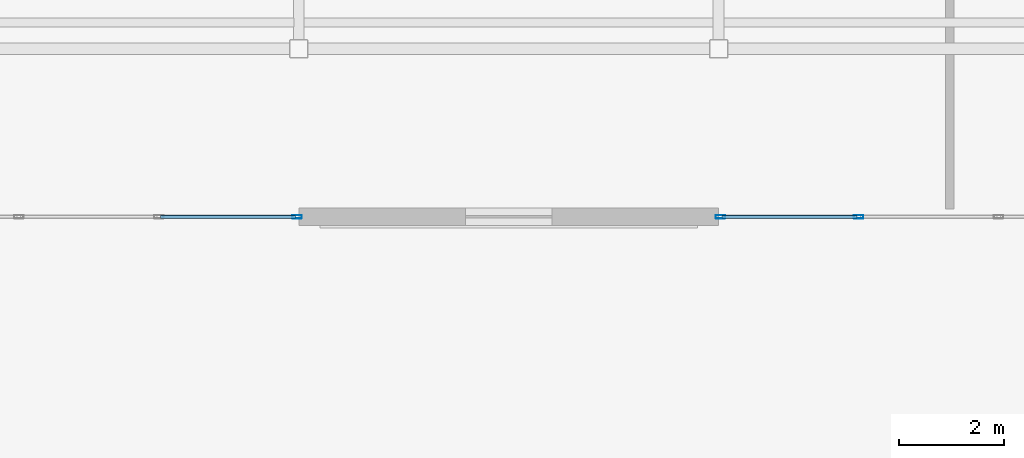
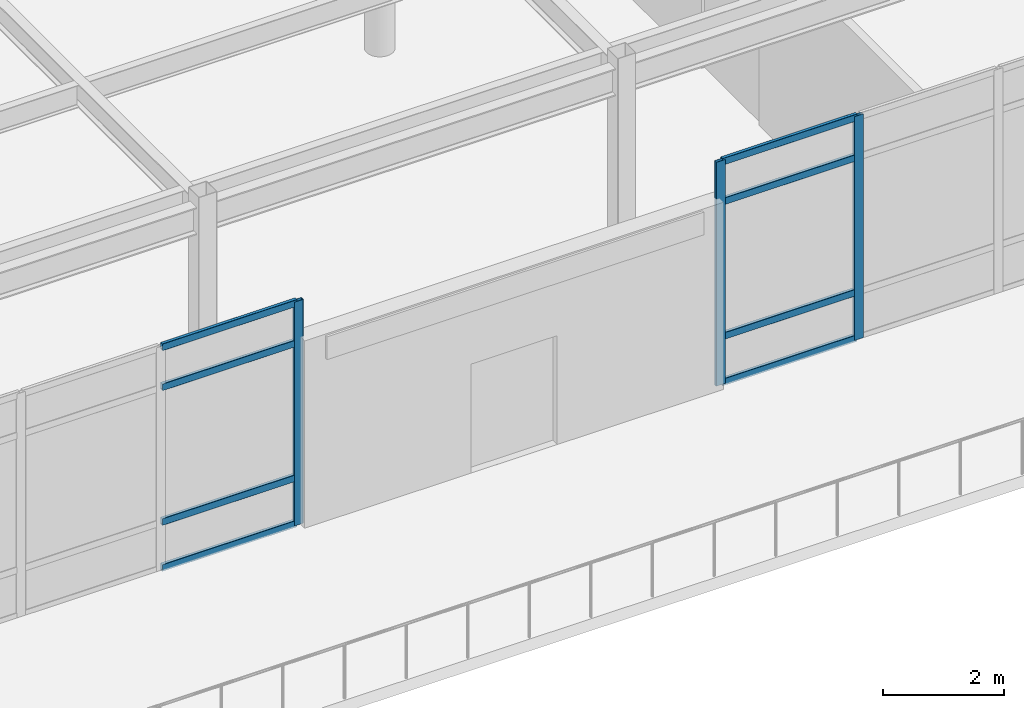
# One storey, part 47 of 117: 11 members, 2 elements without a shape of their own.
"""IFC4 building model written with IfcOpenShell, lengths in metres."""

from ifc_helpers import new_model, si_unit, direction, frame, origin, origin_2d, place, context, subcontext, project, spatial, hollow_rectangle, extrude, material, material_profile, profile_set, type_object, element, aggregate, save


model = new_model("IFC4")

# Units and contexts
model_context = context("Model", 3, precision=1e-05, world=origin(), true_north=direction((0.0, 1.0)))
body_context = subcontext(model_context, "Body", "Model", "MODEL_VIEW")
ifc_project = project(units=[si_unit("LENGTHUNIT", "METRE"), si_unit("AREAUNIT", "SQUARE_METRE"), si_unit("VOLUMEUNIT", "CUBIC_METRE"), si_unit("PLANEANGLEUNIT", "RADIAN"), si_unit("MASSUNIT", "GRAM", prefix="KILO")], contexts=[model_context])

# Site, building, storey
site_placement = place(None, origin())
site = spatial("IfcSite", under=ifc_project, at=site_placement, CompositionType="ELEMENT")
building_placement = place(site_placement, origin())
building = spatial("IfcBuilding", under=site, at=building_placement, Name="Solmirada Galleria", CompositionType="ELEMENT")
storey_placement = place(building_placement, frame((0.0, 0.0, 5.60009765625)))
storey = spatial("IfcBuildingStorey", under=building, at=storey_placement, Name="L01", CompositionType="ELEMENT", Elevation=5.60009765625)

# Curtain wall, members
ifc_material_1 = material(Name="Impact-resistant low-E double glazing", Category="glass")
curtain_wall_type = type_object("IfcCurtainWallType", Name="CW-FZ4-L01-B3-L080", PredefinedType="NOTDEFINED", material=ifc_material_1)
curtain_wall_1_placement = place(storey_placement, origin())
curtain_wall_1 = element("IfcCurtainWall", 1, at=curtain_wall_1_placement, inside=storey, type_object=curtain_wall_type, Name="Terrace and arcade storefront CW-L01-050", PredefinedType="NOTDEFINED")
ifc_material_2 = material(Name="Anodised aluminium framing", Category="aluminium")
ifc_material_profile_1 = material_profile(ifc_material_2, hollow_rectangle(XDim=0.06494140625, YDim=0.179931640625, WallThickness=0.00390625, InnerFilletRadius=0.00390625, OuterFilletRadius=0.008056640625, at=origin_2d()), Name="ALU-MULL-180X65")
ifc_profile_set_1 = profile_set([ifc_material_profile_1], Name="Anodised aluminium framing")
member_type_1 = type_object("IfcMemberType", Name="CW-MULL-180", PredefinedType="MULLION", material=ifc_profile_set_1)
member_1_placement = place(storey_placement, frame((66.666748046875, 76.800048828125, 0.0), z_axis=(0.0, 0.0, 1.0), x_axis=(0.0, -1.0, 0.0)))
member_1 = element("IfcMember", 2, at=member_1_placement, type_object=member_type_1, Name="CW13 mullion 3", PredefinedType="MULLION", context=body_context, shape_type="SweptSolid", body=[
    extrude(hollow_rectangle(XDim=0.06494140625, YDim=0.179931640625, WallThickness=0.00390625, InnerFilletRadius=0.00390625, OuterFilletRadius=0.008056640625, at=origin_2d()), origin(), (0.0, 0.0, 1.0), 4.52001953125),
])
member_2_placement = place(storey_placement, frame((64.032470703125, 76.800048828125, 0.0), z_axis=(0.0, 0.0, 1.0), x_axis=(0.0, -1.0, 0.0)))
member_2 = element("IfcMember", 3, at=member_2_placement, type_object=member_type_1, Name="CW13 mullion 4", PredefinedType="MULLION", context=body_context, shape_type="SweptSolid", body=[
    extrude(hollow_rectangle(XDim=0.06494140625, YDim=0.179931640625, WallThickness=0.00390625, InnerFilletRadius=0.00390625, OuterFilletRadius=0.008056640625, at=origin_2d()), origin(), (0.0, 0.0, 1.0), 4.52001953125),
])

# Curtain wall, member
curtain_wall_2_placement = place(storey_placement, origin())
curtain_wall_2 = element("IfcCurtainWall", 4, at=curtain_wall_2_placement, inside=storey, type_object=curtain_wall_type, Name="Terrace and arcade storefront CW-L01-051", PredefinedType="NOTDEFINED")
member_3_placement = place(storey_placement, frame((55.967529296875, 76.800048828125, 0.0), z_axis=(0.0, 0.0, 1.0), x_axis=(0.0, -1.0, 0.0)))
member_3 = element("IfcMember", 5, at=member_3_placement, type_object=member_type_1, Name="CW13 mullion 1", PredefinedType="MULLION", context=body_context, shape_type="SweptSolid", body=[
    extrude(hollow_rectangle(XDim=0.06494140625, YDim=0.179931640625, WallThickness=0.00390625, InnerFilletRadius=0.00390625, OuterFilletRadius=0.008056640625, at=origin_2d()), origin(), (0.0, 0.0, 1.0), 4.52001953125),
])

# Member
ifc_material_profile_2 = material_profile(ifc_material_2, hollow_rectangle(XDim=0.06494140625, YDim=0.139892578125, WallThickness=0.00341796875, InnerFilletRadius=0.00341796875, OuterFilletRadius=0.007080078125, at=origin_2d()), Name="ALU-TRAN-140X65")
ifc_profile_set_2 = profile_set([ifc_material_profile_2], Name="Anodised aluminium framing")
member_type_2 = type_object("IfcMemberType", Name="CW-TRAN-140", PredefinedType="USERDEFINED", material=ifc_profile_set_2)
member_4_placement = place(storey_placement, frame((66.63427734375, 76.800048828125, 0.032470703125), z_axis=(-1.0, 0.0, 0.0), x_axis=(0.0, -1.0, 0.0)))
member_4 = element("IfcMember", 6, at=member_4_placement, type_object=member_type_2, Name="CW13 transom 3.1", ObjectType="TRANSOM", PredefinedType="USERDEFINED", context=body_context, shape_type="SweptSolid", body=[
    extrude(hollow_rectangle(XDim=0.06494140625, YDim=0.139892578125, WallThickness=0.00341796875, InnerFilletRadius=0.00341796875, OuterFilletRadius=0.007080078125, at=origin_2d()), origin(), (0.0, 0.0, 1.0), 2.5693359375),
])

member_5_placement = place(storey_placement, frame((66.63427734375, 76.800048828125, 0.9599609375), z_axis=(-1.0, 0.0, 0.0), x_axis=(0.0, -1.0, 0.0)))
member_5 = element("IfcMember", 7, at=member_5_placement, type_object=member_type_2, Name="CW13 transom 3.2", ObjectType="TRANSOM", PredefinedType="USERDEFINED", context=body_context, shape_type="SweptSolid", body=[
    extrude(hollow_rectangle(XDim=0.06494140625, YDim=0.139892578125, WallThickness=0.00341796875, InnerFilletRadius=0.00341796875, OuterFilletRadius=0.007080078125, at=origin_2d()), origin(), (0.0, 0.0, 1.0), 2.5693359375),
])

member_6_placement = place(storey_placement, frame((66.63427734375, 76.800048828125, 3.679931640625), z_axis=(-1.0, 0.0, 0.0), x_axis=(0.0, -1.0, 0.0)))
member_6 = element("IfcMember", 8, at=member_6_placement, type_object=member_type_2, Name="CW13 transom 3.3", ObjectType="TRANSOM", PredefinedType="USERDEFINED", context=body_context, shape_type="SweptSolid", body=[
    extrude(hollow_rectangle(XDim=0.06494140625, YDim=0.139892578125, WallThickness=0.00341796875, InnerFilletRadius=0.00341796875, OuterFilletRadius=0.007080078125, at=origin_2d()), origin(), (0.0, 0.0, 1.0), 2.5693359375),
])

member_7_placement = place(storey_placement, frame((66.63427734375, 76.800048828125, 4.4873046875), z_axis=(-1.0, 0.0, 0.0), x_axis=(0.0, -1.0, 0.0)))
member_7 = element("IfcMember", 9, at=member_7_placement, type_object=member_type_2, Name="CW13 transom 3.4", ObjectType="TRANSOM", PredefinedType="USERDEFINED", context=body_context, shape_type="SweptSolid", body=[
    extrude(hollow_rectangle(XDim=0.06494140625, YDim=0.139892578125, WallThickness=0.00341796875, InnerFilletRadius=0.00341796875, OuterFilletRadius=0.007080078125, at=origin_2d()), origin(), (0.0, 0.0, 1.0), 2.5693359375),
])

aggregate(curtain_wall_1, [member_1, member_2, member_4, member_5, member_6, member_7])

member_8_placement = place(storey_placement, frame((55.93505859375, 76.800048828125, 0.032470703125), z_axis=(-1.0, 0.0, 0.0), x_axis=(0.0, -1.0, 0.0)))
member_8 = element("IfcMember", 10, at=member_8_placement, type_object=member_type_2, Name="CW13 transom 1.1", ObjectType="TRANSOM", PredefinedType="USERDEFINED", context=body_context, shape_type="SweptSolid", body=[
    extrude(hollow_rectangle(XDim=0.06494140625, YDim=0.139892578125, WallThickness=0.00341796875, InnerFilletRadius=0.00341796875, OuterFilletRadius=0.007080078125, at=origin_2d()), origin(), (0.0, 0.0, 1.0), 2.5693359375),
])

member_9_placement = place(storey_placement, frame((55.93505859375, 76.800048828125, 0.9599609375), z_axis=(-1.0, 0.0, 0.0), x_axis=(0.0, -1.0, 0.0)))
member_9 = element("IfcMember", 11, at=member_9_placement, type_object=member_type_2, Name="CW13 transom 1.2", ObjectType="TRANSOM", PredefinedType="USERDEFINED", context=body_context, shape_type="SweptSolid", body=[
    extrude(hollow_rectangle(XDim=0.06494140625, YDim=0.139892578125, WallThickness=0.00341796875, InnerFilletRadius=0.00341796875, OuterFilletRadius=0.007080078125, at=origin_2d()), origin(), (0.0, 0.0, 1.0), 2.5693359375),
])

member_10_placement = place(storey_placement, frame((55.93505859375, 76.800048828125, 3.679931640625), z_axis=(-1.0, 0.0, 0.0), x_axis=(0.0, -1.0, 0.0)))
member_10 = element("IfcMember", 12, at=member_10_placement, type_object=member_type_2, Name="CW13 transom 1.3", ObjectType="TRANSOM", PredefinedType="USERDEFINED", context=body_context, shape_type="SweptSolid", body=[
    extrude(hollow_rectangle(XDim=0.06494140625, YDim=0.139892578125, WallThickness=0.00341796875, InnerFilletRadius=0.00341796875, OuterFilletRadius=0.007080078125, at=origin_2d()), origin(), (0.0, 0.0, 1.0), 2.5693359375),
])

member_11_placement = place(storey_placement, frame((55.93505859375, 76.800048828125, 4.4873046875), z_axis=(-1.0, 0.0, 0.0), x_axis=(0.0, -1.0, 0.0)))
member_11 = element("IfcMember", 13, at=member_11_placement, type_object=member_type_2, Name="CW13 transom 1.4", ObjectType="TRANSOM", PredefinedType="USERDEFINED", context=body_context, shape_type="SweptSolid", body=[
    extrude(hollow_rectangle(XDim=0.06494140625, YDim=0.139892578125, WallThickness=0.00341796875, InnerFilletRadius=0.00341796875, OuterFilletRadius=0.007080078125, at=origin_2d()), origin(), (0.0, 0.0, 1.0), 2.5693359375),
])

aggregate(curtain_wall_2, [member_3, member_8, member_9, member_10, member_11])

save(model, "model.ifc")
